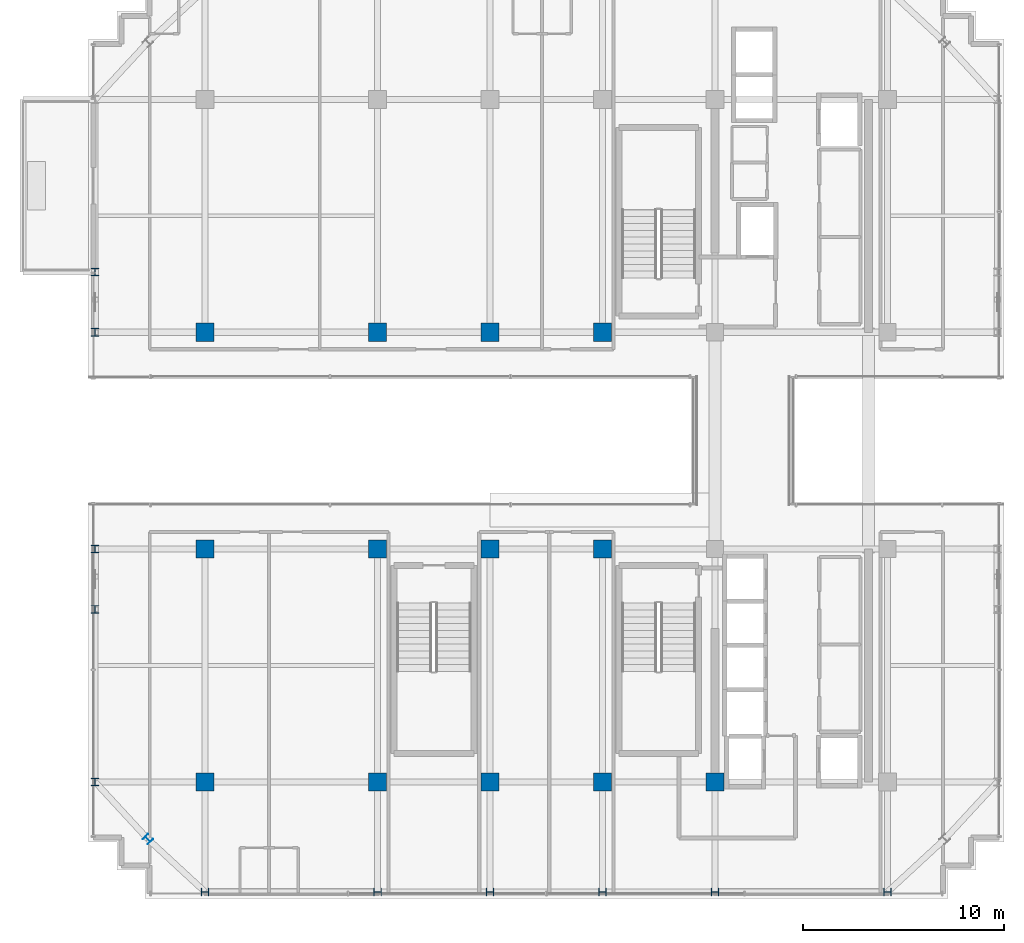
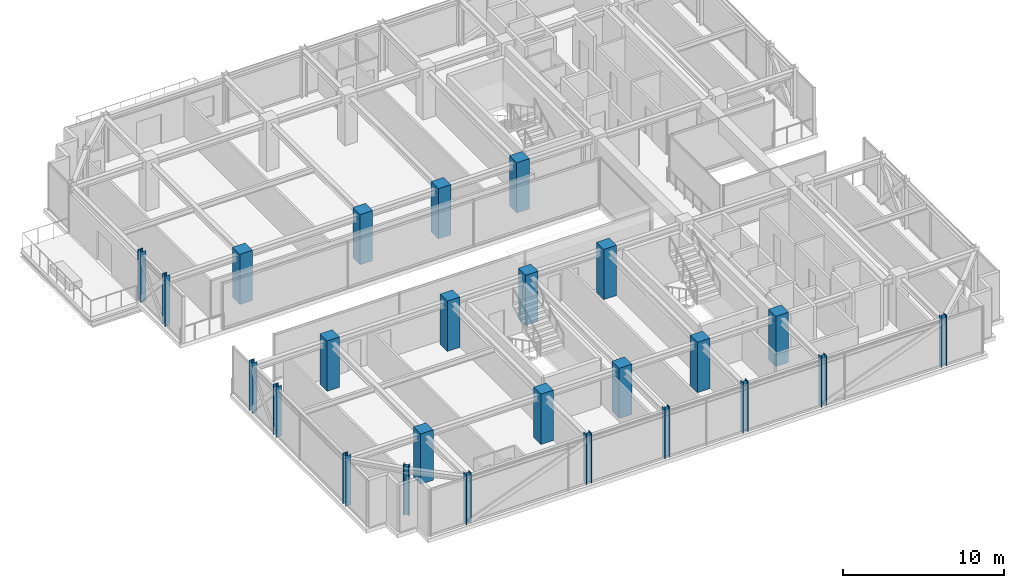
# One storey, part 1 of 40: 25 columns.
"""IFC4 building model written with IfcOpenShell, lengths in metres."""

from ifc_helpers import new_model, si_unit, direction, frame, origin, origin_2d, place, context, subcontext, project, spatial, rectangle, i_section, extrude, source, transform, mapped, material, material_profile, profile_set, type_object, element, save


model = new_model("IFC4")

# Units and contexts
model_context = context("Model", 3, precision=1e-05, world=origin(), true_north=direction((0.0, 1.0)))
body_context = subcontext(model_context, "Body", "Model", "MODEL_VIEW")
ifc_project = project(units=[si_unit("LENGTHUNIT", "METRE"), si_unit("AREAUNIT", "SQUARE_METRE"), si_unit("VOLUMEUNIT", "CUBIC_METRE"), si_unit("PLANEANGLEUNIT", "RADIAN"), si_unit("MASSUNIT", "GRAM", prefix="KILO")], contexts=[model_context])

# Site, building, storey
site_placement = place(None, origin())
site = spatial("IfcSite", under=ifc_project, at=site_placement, CompositionType="ELEMENT")
building_placement = place(site_placement, origin())
building = spatial("IfcBuilding", under=site, at=building_placement, Name="Nahalor Promenade Grand Hotel", CompositionType="ELEMENT")
storey_placement = place(building_placement, frame((0.0, 0.0, 288.800048828125)))
storey = spatial("IfcBuildingStorey", under=building, at=storey_placement, Name="L74", CompositionType="ELEMENT", Elevation=288.800048828125)

# Columns
ifc_material_1 = material(Name="Concrete B-50 (C40/50)", Category="concrete")
ifc_material_profile_1 = material_profile(ifc_material_1, rectangle(XDim=0.9, YDim=0.9, at=origin_2d()), Name="RC 900x900")
ifc_profile_set_1 = profile_set([ifc_material_profile_1], Name="Concrete B-50 (C40/50)")
column_type_1 = type_object("IfcColumnType", Name="Col-RC-900", PredefinedType="COLUMN", material=ifc_profile_set_1)
shared_shape_1 = source(origin(), body_context, "Body", "SweptSolid", [
    extrude(rectangle(XDim=0.9, YDim=0.9, at=origin_2d()), origin(), (0.0, 0.0, 1.0), 3.804931640625),
])
for number, where, z_axis, x_axis, name in (
    (1, (-17.0, -17.0, 0.0), (0.0, 0.0, 1.0), (1.0, 0.0, 0.0), "COL-L74-I00"),
    (2, (-17.0, -5.39990234375, 0.0), (0.0, 0.0, 1.0), (1.0, 0.0, 0.0), "COL-L74-I01"),
    (3, (-17.0, 5.39990234375, 0.0), (0.0, 0.0, 1.0), (1.0, 0.0, 0.0), "COL-L74-I02"),
    (4, (-8.39990234375, -17.0, 0.0), (0.0, 0.0, 1.0), (1.0, 0.0, 0.0), "COL-L74-I10"),
    (5, (-8.39990234375, -5.39990234375, 0.0), (0.0, 0.0, 1.0), (1.0, 0.0, 0.0), "COL-L74-I11"),
    (6, (-8.39990234375, 5.39990234375, 0.0), (0.0, 0.0, 1.0), (1.0, 0.0, 0.0), "COL-L74-I12"),
    (7, (-2.800048828125, -17.0, 0.0), (0.0, 0.0, 1.0), (1.0, 0.0, 0.0), "COL-L74-I20"),
    (8, (-2.800048828125, -5.39990234375, 0.0), (0.0, 0.0, 1.0), (1.0, 0.0, 0.0), "COL-L74-I21"),
    (9, (-2.800048828125, 5.39990234375, 0.0), (0.0, 0.0, 1.0), (1.0, 0.0, 0.0), "COL-L74-I22"),
    (10, (2.800048828125, -17.0, 0.0), (0.0, 0.0, 1.0), (1.0, 0.0, 0.0), "COL-L74-I30"),
    (11, (2.800048828125, -5.39990234375, 0.0), (0.0, 0.0, 1.0), (1.0, 0.0, 0.0), "COL-L74-I31"),
    (12, (2.800048828125, 5.39990234375, 0.0), (0.0, 0.0, 1.0), (1.0, 0.0, 0.0), "COL-L74-I32"),
    (13, (8.39990234375, -17.0, 0.0), (0.0, 0.0, 1.0), (1.0, 0.0, 0.0), "COL-L74-I40"),
):
    element("IfcColumn", number, at=place(storey_placement, frame(where, z_axis=z_axis, x_axis=x_axis)), inside=storey, type_object=column_type_1, Name=name, PredefinedType="COLUMN", context=body_context, shape_type="MappedRepresentation", body=[
        mapped(shared_shape_1, transform((0.0, 0.0, 0.0), scale=1.0)),
    ])
ifc_material_2 = material(Name="Steel S355JR", Category="steel")
ifc_material_profile_2 = material_profile(ifc_material_2, i_section(OverallWidth=0.374, OverallDepth=0.374, WebThickness=0.0144, FlangeThickness=0.0229, at=origin_2d()), Name="HD 360x262")
ifc_profile_set_2 = profile_set([ifc_material_profile_2], Name="Steel S355JR")
column_type_2 = type_object("IfcColumnType", Name="Col-Steel-HD262", PredefinedType="COLUMN", material=ifc_profile_set_2)
shared_shape_2 = source(origin(), body_context, "Body", "SweptSolid", [
    extrude(i_section(OverallWidth=0.374, OverallDepth=0.374, WebThickness=0.0144, FlangeThickness=0.0229, at=origin_2d()), origin(), (0.0, 0.0, 1.0), 3.804931640625),
])
for number, where, z_axis, x_axis, name in (
    (14, (-22.47998046875, -17.0, 0.0), (0.0, 0.0, 1.0), (1.0, 0.0, 0.0), "COL-L74-PW-W0"),
    (15, (-22.47998046875, -8.39990234375, 0.0), (0.0, 0.0, 1.0), (1.0, 0.0, 0.0), "COL-L74-PW-W1"),
    (16, (-22.47998046875, -5.39990234375, 0.0), (0.0, 0.0, 1.0), (1.0, 0.0, 0.0), "COL-L74-PW-W2"),
    (17, (-22.47998046875, 5.39990234375, 0.0), (0.0, 0.0, 1.0), (1.0, 0.0, 0.0), "COL-L74-PW-W3"),
    (18, (-22.47998046875, 8.39990234375, 0.0), (0.0, 0.0, 1.0), (1.0, 0.0, 0.0), "COL-L74-PW-W4"),
    (19, (-17.0, -22.47998046875, 0.0), (0.0, 0.0, 1.0), (0.0, 1.0, 0.0), "COL-L74-PN-S0"),
    (20, (-8.39990234375, -22.47998046875, 0.0), (0.0, 0.0, 1.0), (0.0, 1.0, 0.0), "COL-L74-PN-S1"),
    (21, (-2.800048828125, -22.47998046875, 0.0), (0.0, 0.0, 1.0), (0.0, 1.0, 0.0), "COL-L74-PN-S2"),
    (22, (2.800048828125, -22.47998046875, 0.0), (0.0, 0.0, 1.0), (0.0, 1.0, 0.0), "COL-L74-PN-S3"),
    (23, (8.39990234375, -22.47998046875, 0.0), (0.0, 0.0, 1.0), (0.0, 1.0, 0.0), "COL-L74-PN-S4"),
    (24, (17.0, -22.47998046875, 0.0), (0.0, 0.0, 1.0), (0.0, 1.0, 0.0), "COL-L74-PN-S5"),
    (25, (-19.85009765625, -19.85009765625, 0.0), (0.0, 0.0, 1.0), (0.707106781187, 0.707106781187, 0.0), "COL-L74-CRN-SW"),
):
    element("IfcColumn", number, at=place(storey_placement, frame(where, z_axis=z_axis, x_axis=x_axis)), inside=storey, type_object=column_type_2, Name=name, PredefinedType="COLUMN", context=body_context, shape_type="MappedRepresentation", body=[
        mapped(shared_shape_2, transform((0.0, 0.0, 0.0), scale=1.0)),
    ])

save(model, "model.ifc")
